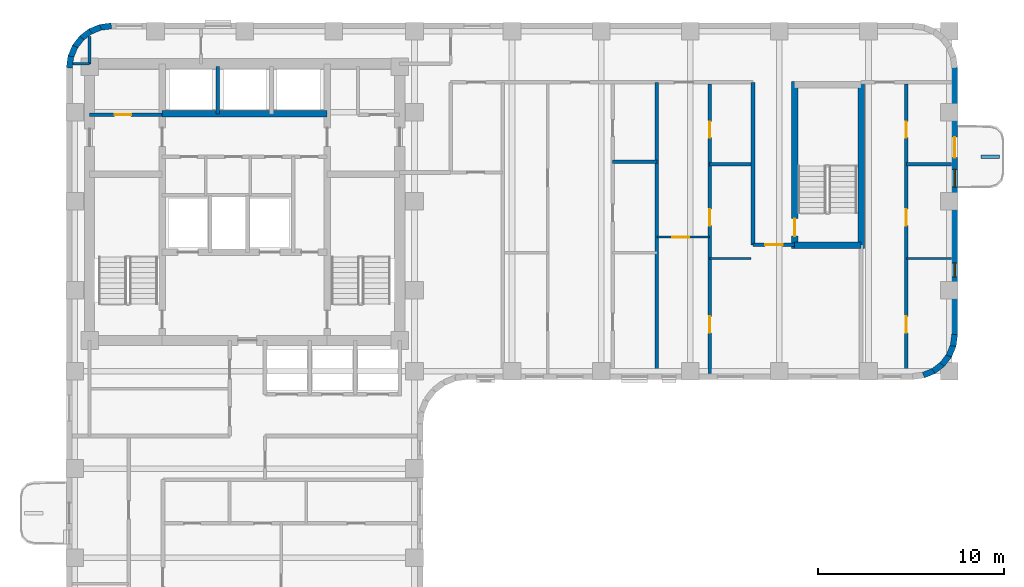
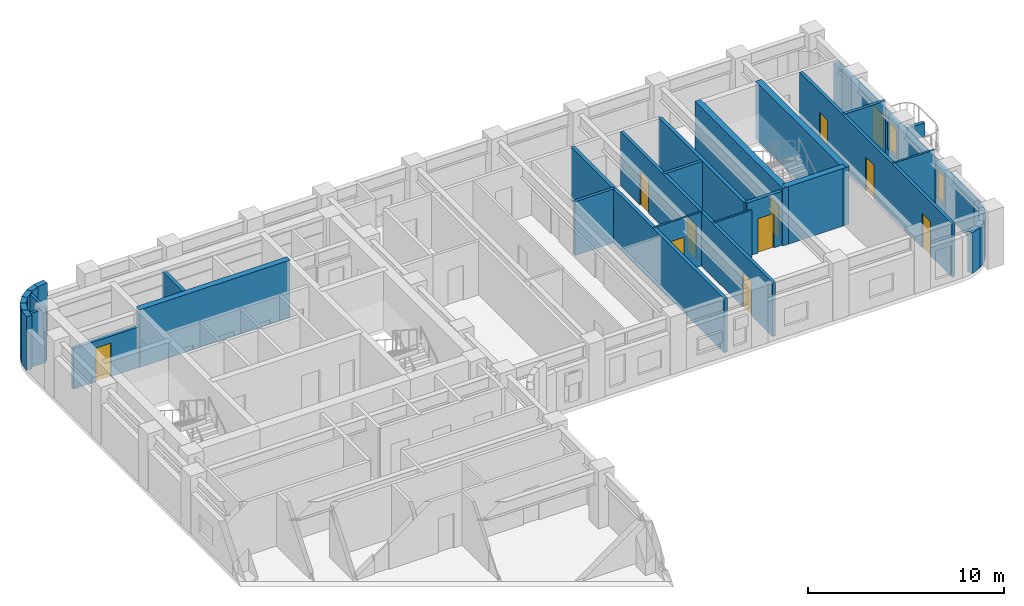
# One storey, part 7 of 11: 32 walls, 11 doors, 2 windows, 13 openings.
"""IFC4 building model written with IfcOpenShell, lengths in metres."""

from ifc_helpers import new_model, si_unit, direction, frame, frame_2d, origin, place, context, subcontext, project, spatial, rectangle, extrude, material, layer, layer_set, type_object, element, fill, save


model = new_model("IFC4")

# Units and contexts
model_context = context("Model", 3, precision=1e-05, world=origin(), true_north=direction((0.0, 1.0)))
body_context = subcontext(model_context, "Body", "Model", "MODEL_VIEW")
ifc_project = project(units=[si_unit("LENGTHUNIT", "METRE"), si_unit("AREAUNIT", "SQUARE_METRE"), si_unit("VOLUMEUNIT", "CUBIC_METRE"), si_unit("PLANEANGLEUNIT", "RADIAN"), si_unit("MASSUNIT", "GRAM", prefix="KILO")], contexts=[model_context])

# Site, building, storey
site_placement = place(None, origin())
site = spatial("IfcSite", under=ifc_project, at=site_placement, CompositionType="ELEMENT")
building_placement = place(site_placement, origin())
building = spatial("IfcBuilding", under=site, at=building_placement, Name="Orvandelia Arch Residences", CompositionType="ELEMENT")
storey_placement = place(building_placement, frame((0.0, 0.0, 146.800048828125)))
storey = spatial("IfcBuildingStorey", under=building, at=storey_placement, Name="L38", CompositionType="ELEMENT", Elevation=146.800048828125)

# Wall
ifc_material_1 = material(Name="Concrete C50/60", Category="concrete")
ifc_layer_1 = layer(ifc_material_1, 0.35009765625, Name="Concrete C50/60", Category="concrete")
ifc_layer_set_1 = layer_set([ifc_layer_1], Name="Concrete C50/60")
wall_type_1 = type_object("IfcWallType", Name="WL-CORE-350", PredefinedType="SHEAR", material=ifc_layer_set_1)
wall_1_placement = place(storey_placement, frame((9.9599609375, 43.10009765625, 0.0), z_axis=(0.0, 0.0, 1.0), x_axis=(1.0, 0.0, 0.0)))
element("IfcWall", 1, at=wall_1_placement, inside=storey, type_object=wall_type_1, Name="Core Shear Wall L38-HZ4", PredefinedType="SHEAR", context=body_context, shape_type="SweptSolid", body=[
    extrude(rectangle(XDim=8.880126953125, YDim=0.35009765625, at=frame_2d((4.43994140625, 0.0))), origin(), (0.0, 0.0, 1.0), 3.599853515625),
])

# Wall, opening, door
wall_2_placement = place(storey_placement, frame((44.02001953125, 35.864990234375, 0.0), z_axis=(0.0, 0.0, 1.0), x_axis=(0.0, 1.0, 0.0)))
wall_2 = element("IfcWall", 2, at=wall_2_placement, inside=storey, type_object=wall_type_1, Name="East Stair Core Shear Wall L38-W", PredefinedType="SHEAR", context=body_context, shape_type="SweptSolid", body=[
    extrude(rectangle(XDim=8.969970703125, YDim=0.35009765625, at=frame_2d((4.48486328125, 0.0))), origin(), (0.0, 0.0, 1.0), 3.599853515625),
])
opening_1_placement = place(wall_2_placement, frame((0.64990234375, 0.0, 0.0)))
opening_1 = element("IfcOpeningElement", 3, at=opening_1_placement, cuts=wall_2, Name="Opening D7", PredefinedType="OPENING", context=body_context, shape_type="SweptSolid", body=[
    extrude(rectangle(XDim=0.949951171875, YDim=2.10009765625, at=frame_2d((0.47509765625, 1.050048828125))), frame((0.0, 0.18505859375, 0.0), z_axis=(0.0, -1.0, 0.0), x_axis=(1.0, 0.0, 0.0)), (0.0, 0.0, 1.0), 0.3701171875),
])
ifc_material_2 = material(Name="Pressurised Stairwell Fire Door")
door_type_1 = type_object("IfcDoorType", Name="DR-STAIR-950", OperationType="NOTDEFINED", PredefinedType="DOOR", material=ifc_material_2)
door_1_placement = place(opening_1_placement, origin())
door_1 = element("IfcDoor", 4, at=door_1_placement, inside=storey, type_object=door_type_1, Name="East Stairwell ST-3 Fire Door L38", OperationType="SINGLE_SWING_LEFT", OverallHeight=2.10009765625, OverallWidth=0.949951171875, PredefinedType="DOOR", context=body_context, shape_type="SweptSolid", body=[
    extrude(rectangle(XDim=0.949951171875, YDim=2.10009765625, at=frame_2d((0.47509765625, 1.050048828125))), frame((0.0, 0.02490234375, 0.0), z_axis=(0.0, -1.0, 0.0), x_axis=(1.0, 0.0, 0.0)), (0.0, 0.0, 1.0), 0.050048828125),
])
fill(opening_1, door_1)

# Walls
wall_3_placement = place(storey_placement, frame((47.60009765625, 35.864990234375, 0.0), z_axis=(0.0, 0.0, 1.0), x_axis=(0.0, 1.0, 0.0)))
element("IfcWall", 5, at=wall_3_placement, inside=storey, type_object=wall_type_1, Name="East Stair Core Shear Wall L38-E", PredefinedType="SHEAR", context=body_context, shape_type="SweptSolid", body=[
    extrude(rectangle(XDim=8.969970703125, YDim=0.35009765625, at=frame_2d((4.48486328125, 0.0))), origin(), (0.0, 0.0, 1.0), 3.599853515625),
])
wall_4_placement = place(storey_placement, frame((44.02001953125, 36.0400390625, 0.0), z_axis=(0.0, 0.0, 1.0), x_axis=(1.0, 0.0, 0.0)))
element("IfcWall", 6, at=wall_4_placement, inside=storey, type_object=wall_type_1, Name="East Stair Core Shear Wall L38-S", PredefinedType="SHEAR", context=body_context, shape_type="SweptSolid", body=[
    extrude(rectangle(XDim=3.580078125, YDim=0.35009765625, at=frame_2d((1.7900390625, 0.0))), origin(), (0.0, 0.0, 1.0), 3.599853515625),
])
ifc_material_3 = material(Name="Fire-Rated Corridor Partition")
ifc_layer_2 = layer(ifc_material_3, 0.199951171875, Name="Fire-Rated Corridor Partition")
ifc_layer_set_2 = layer_set([ifc_layer_2], Name="Fire-Rated Corridor Partition")
wall_type_2 = type_object("IfcWallType", Name="WL-CORR-200", PredefinedType="PARTITIONING", material=ifc_layer_set_2)
wall_5_placement = place(storey_placement, frame((41.780029296875, 36.050048828125, 0.0), z_axis=(0.0, 0.0, 1.0), x_axis=(0.0, 1.0, 0.0)))
element("IfcWall", 7, at=wall_5_placement, inside=storey, type_object=wall_type_2, Name="Interior Partition Wall WL-L38-EN2-SW", PredefinedType="PARTITIONING", context=body_context, shape_type="SweptSolid", body=[
    extrude(rectangle(XDim=8.75, YDim=0.199951171875, at=frame_2d((4.375, 0.0))), origin(), (0.0, 0.0, 1.0), 3.35986328125),
])

# Wall, opening, door
wall_6_placement = place(storey_placement, frame((41.780029296875, 36.050048828125, 0.0), z_axis=(0.0, 0.0, 1.0), x_axis=(1.0, 0.0, 0.0)))
wall_6 = element("IfcWall", 8, at=wall_6_placement, inside=storey, type_object=wall_type_2, Name="Interior Partition Wall WL-L38-EN2-SS", PredefinedType="PARTITIONING", context=body_context, shape_type="SweptSolid", body=[
    extrude(rectangle(XDim=2.239990234375, YDim=0.199951171875, at=frame_2d((1.1201171875, 0.0))), origin(), (0.0, 0.0, 1.0), 3.35986328125),
])
opening_2_placement = place(wall_6_placement, frame((0.64990234375, 0.0, 0.0)))
opening_2 = element("IfcOpeningElement", 9, at=opening_2_placement, cuts=wall_6, Name="Opening D2", PredefinedType="OPENING", context=body_context, shape_type="SweptSolid", body=[
    extrude(rectangle(XDim=0.949951171875, YDim=2.14990234375, at=frame_2d((0.47509765625, 1.074951171875))), frame((0.0, 0.10986328125, 0.0), z_axis=(0.0, -1.0, 0.0), x_axis=(1.0, 0.0, 0.0)), (0.0, 0.0, 1.0), 0.219970703125),
])
ifc_material_4 = material(Name="Solid-Core Timber Interior Fire Door", Category="wood")
door_type_2 = type_object("IfcDoorType", Name="DR-APT-950", OperationType="NOTDEFINED", PredefinedType="DOOR", material=ifc_material_4)
door_2_placement = place(opening_2_placement, origin())
door_2 = element("IfcDoor", 10, at=door_2_placement, inside=storey, type_object=door_type_2, Name="DR-L38-EN2SLN", OperationType="SINGLE_SWING_LEFT", OverallHeight=2.14990234375, OverallWidth=0.949951171875, PredefinedType="DOOR", context=body_context, shape_type="SweptSolid", body=[
    extrude(rectangle(XDim=0.949951171875, YDim=2.14990234375, at=frame_2d((0.47509765625, 1.074951171875))), frame((0.0, 0.02490234375, 0.0), z_axis=(0.0, -1.0, 0.0), x_axis=(1.0, 0.0, 0.0)), (0.0, 0.0, 1.0), 0.050048828125),
])
fill(opening_2, door_2)

# Walls
ifc_material_5 = material(Name="Concrete C40/50", Category="concrete")
ifc_layer_3 = layer(ifc_material_5, 0.199951171875, Name="Concrete C40/50", Category="concrete")
ifc_layer_set_3 = layer_set([ifc_layer_3], Name="Concrete C40/50")
wall_type_3 = type_object("IfcWallType", Name="WL-DEM-200", PredefinedType="SOLIDWALL", material=ifc_layer_set_3)
wall_7_placement = place(storey_placement, frame((36.60009765625, 29.1201171875, 0.0), z_axis=(0.0, 0.0, 1.0), x_axis=(0.0, 1.0, 0.0)))
element("IfcWall", 11, at=wall_7_placement, inside=storey, type_object=wall_type_3, Name="Interior Partition Wall WL-L38-DEM-EN2-366", PredefinedType="SOLIDWALL", context=body_context, shape_type="SweptSolid", body=[
    extrude(rectangle(XDim=15.679931640625, YDim=0.199951171875, at=frame_2d((7.83984375, 0.0))), origin(), (0.0, 0.0, 1.0), 3.35986328125),
])
ifc_material_6 = material(Name="Precast concrete C40/50", Category="concrete")
ifc_layer_4 = layer(ifc_material_6, 0.320068359375, Name="Precast concrete C40/50", Category="concrete")
ifc_layer_set_4 = layer_set([ifc_layer_4], Name="Precast concrete C40/50")
wall_type_4 = type_object("IfcWallType", Name="WL-EXT-STONE-320", PredefinedType="STANDARD", material=ifc_layer_set_4)
for number, where, z_axis, x_axis, name in (
    (12, (4.95849609375, 45.5791015625, 0.0), (0.0, 0.0, 1.0), (0.130555323746, 0.9914410257, 0.0), "Coral-Limestone Precast Facade Wall L38-001"),
    (13, (5.029541015625, 46.159912109375, 0.0), (0.0, 0.0, 1.0), (0.382650053678, 0.92389335771, 0.0), "Coral-Limestone Precast Facade Wall L38-002"),
):
    element("IfcWall", number, at=place(storey_placement, frame(where, z_axis=z_axis, x_axis=x_axis)), inside=storey, type_object=wall_type_4, Name=name, PredefinedType="STANDARD", context=body_context, shape_type="SweptSolid", body=[
        extrude(rectangle(XDim=0.62646484375, YDim=0.320068359375, at=frame_2d((0.313232421875, 0.0))), origin(), (0.0, 0.0, 1.0), 3.35986328125),
    ])
wall_8_placement = place(storey_placement, frame((5.248291015625, 46.70263671875, 0.0), z_axis=(0.0, 0.0, 1.0), x_axis=(0.608938521285, 0.7932174212, 0.0)))
element("IfcWall", 14, at=wall_8_placement, inside=storey, type_object=wall_type_4, Name="Coral-Limestone Precast Facade Wall L38-003", PredefinedType="STANDARD", context=body_context, shape_type="SweptSolid", body=[
    extrude(rectangle(XDim=0.626708984375, YDim=0.320068359375, at=frame_2d((0.3134765625, 0.0))), origin(), (0.0, 0.0, 1.0), 3.35986328125),
])
wall_9_placement = place(storey_placement, frame((5.600341796875, 47.170166015625, 0.0), z_axis=(0.0, 0.0, 1.0), x_axis=(0.793405610854, 0.608693302629, 0.0)))
element("IfcWall", 15, at=wall_9_placement, inside=storey, type_object=wall_type_4, Name="Coral-Limestone Precast Facade Wall L38-004", PredefinedType="STANDARD", context=body_context, shape_type="SweptSolid", body=[
    extrude(rectangle(XDim=0.62646484375, YDim=0.320068359375, at=frame_2d((0.313232421875, 0.0))), origin(), (0.0, 0.0, 1.0), 3.35986328125),
])
wall_10_placement = place(storey_placement, frame((6.061279296875, 47.53076171875, 0.0), z_axis=(0.0, 0.0, 1.0), x_axis=(0.923836271867, 0.382787856107, 0.0)))
element("IfcWall", 16, at=wall_10_placement, inside=storey, type_object=wall_type_4, Name="Coral-Limestone Precast Facade Wall L38-005", PredefinedType="STANDARD", context=body_context, shape_type="SweptSolid", body=[
    extrude(rectangle(XDim=0.626220703125, YDim=0.320068359375, at=frame_2d((0.31298828125, 0.0))), origin(), (0.0, 0.0, 1.0), 3.35986328125),
])
wall_11_placement = place(storey_placement, frame((6.599609375, 47.759521484375, 0.0), z_axis=(0.0, 0.0, 1.0), x_axis=(0.991447664465, 0.130504898859, 0.0)))
element("IfcWall", 17, at=wall_11_placement, inside=storey, type_object=wall_type_4, Name="Coral-Limestone Precast Facade Wall L38-006", PredefinedType="STANDARD", context=body_context, shape_type="SweptSolid", body=[
    extrude(rectangle(XDim=0.626708984375, YDim=0.320068359375, at=frame_2d((0.3134765625, 0.0))), origin(), (0.0, 0.0, 1.0), 3.35986328125),
])

# Wall, openings, door, windows
wall_12_placement = place(storey_placement, frame((52.639892578125, 45.60009765625, 0.0), z_axis=(0.0, 0.0, 1.0), x_axis=(0.0, -1.0, 0.0)))
wall_12 = element("IfcWall", 18, at=wall_12_placement, inside=storey, type_object=wall_type_4, Name="Coral-Limestone Precast Facade Wall L38-014", PredefinedType="STANDARD", context=body_context, shape_type="SweptSolid", body=[
    extrude(rectangle(XDim=14.400146484375, YDim=0.320068359375, at=frame_2d((7.2001953125, 0.0))), origin(), (0.0, 0.0, 1.0), 2.5400390625),
])
opening_3_placement = place(wall_12_placement, frame((3.75, 0.0, 0.0)))
opening_3 = element("IfcOpeningElement", 19, at=opening_3_placement, cuts=wall_12, Name="Opening BD1", PredefinedType="OPENING", context=body_context, shape_type="SweptSolid", body=[
    extrude(rectangle(XDim=1.10009765625, YDim=2.14990234375, at=frame_2d((0.550048828125, 1.074951171875))), frame((0.0, 0.169921875, 0.0), z_axis=(0.0, -1.0, 0.0), x_axis=(1.0, 0.0, 0.0)), (0.0, 0.0, 1.0), 0.340087890625),
])
opening_4_placement = place(wall_12_placement, frame((10.51953125, 0.0, 0.449951171875)))
opening_4 = element("IfcOpeningElement", 20, at=opening_4_placement, cuts=wall_12, Name="Opening W11", PredefinedType="OPENING", context=body_context, shape_type="SweptSolid", body=[
    extrude(rectangle(XDim=0.75, YDim=1.800048828125, at=frame_2d((0.375, 0.89990234375))), frame((0.0, 0.169921875, 0.0), z_axis=(0.0, -1.0, 0.0), x_axis=(1.0, 0.0, 0.0)), (0.0, 0.0, 1.0), 0.340087890625),
])
opening_5_placement = place(wall_12_placement, frame((5.486083984375, 0.0, 0.449951171875)))
opening_5 = element("IfcOpeningElement", 21, at=opening_5_placement, cuts=wall_12, Name="Opening W4", PredefinedType="OPENING", context=body_context, shape_type="SweptSolid", body=[
    extrude(rectangle(XDim=0.949951171875, YDim=1.800048828125, at=frame_2d((0.47509765625, 0.89990234375))), frame((0.0, 0.169921875, 0.0), z_axis=(0.0, -1.0, 0.0), x_axis=(1.0, 0.0, 0.0)), (0.0, 0.0, 1.0), 0.340087890625),
])
ifc_material_7 = material(Name="Thermally Broken Aluminium Glazed Door", Category="aluminium")
door_type_3 = type_object("IfcDoorType", Name="DR-BAL-GLAZ-1100", OperationType="NOTDEFINED", PredefinedType="DOOR", material=ifc_material_7)
door_3_placement = place(opening_3_placement, origin())
door_3 = element("IfcDoor", 22, at=door_3_placement, inside=storey, type_object=door_type_3, Name="Tree Balcony Glazed Door BAL-L38-E1", OperationType="SINGLE_SWING_LEFT", OverallHeight=2.14990234375, OverallWidth=1.10009765625, PredefinedType="DOOR", context=body_context, shape_type="SweptSolid", body=[
    extrude(rectangle(XDim=1.10009765625, YDim=2.14990234375, at=frame_2d((0.550048828125, 1.074951171875))), frame((0.0, 0.02490234375, 0.0), z_axis=(0.0, -1.0, 0.0), x_axis=(1.0, 0.0, 0.0)), (0.0, 0.0, 1.0), 0.050048828125),
])
fill(opening_3, door_3)
ifc_material_8 = material(Name="Tempered Low-E Insulated Glazing", Category="glass")
window_type_1 = type_object("IfcWindowType", Name="WIN-BED-0750x1800", PartitioningType="SINGLE_PANEL", PredefinedType="WINDOW", material=ifc_material_8)
window_1_placement = place(opening_4_placement, origin())
window_1 = element("IfcWindow", 23, at=window_1_placement, inside=storey, type_object=window_type_1, Name="Recessed Punched Window L38-004", OverallHeight=1.800048828125, OverallWidth=0.75, PartitioningType="SINGLE_PANEL", PredefinedType="WINDOW", context=body_context, shape_type="SweptSolid", body=[
    extrude(rectangle(XDim=0.75, YDim=1.800048828125, at=frame_2d((0.375, 0.89990234375))), frame((0.0, 0.030029296875, 0.0), z_axis=(0.0, -1.0, 0.0), x_axis=(1.0, 0.0, 0.0)), (0.0, 0.0, 1.0), 0.06005859375),
])
fill(opening_4, window_1)
window_type_2 = type_object("IfcWindowType", Name="WIN-RES-0950x1800", PartitioningType="SINGLE_PANEL", PredefinedType="WINDOW", material=ifc_material_8)
window_2_placement = place(opening_5_placement, origin())
window_2 = element("IfcWindow", 24, at=window_2_placement, inside=storey, type_object=window_type_2, Name="Recessed Punched Window L38-005", OverallHeight=1.800048828125, OverallWidth=0.949951171875, PartitioningType="SINGLE_PANEL", PredefinedType="WINDOW", context=body_context, shape_type="SweptSolid", body=[
    extrude(rectangle(XDim=0.949951171875, YDim=1.800048828125, at=frame_2d((0.47509765625, 0.89990234375))), frame((0.0, 0.030029296875, 0.0), z_axis=(0.0, -1.0, 0.0), x_axis=(1.0, 0.0, 0.0)), (0.0, 0.0, 1.0), 0.06005859375),
])
fill(opening_5, window_2)

# Walls
wall_13_placement = place(storey_placement, frame((52.641357421875, 31.220947265625, 0.0), z_axis=(0.0, 0.0, 1.0), x_axis=(-0.130504898859, -0.991447664465, 0.0)))
element("IfcWall", 25, at=wall_13_placement, inside=storey, type_object=wall_type_4, Name="Coral-Limestone Precast Facade Wall L38-015", PredefinedType="STANDARD", context=body_context, shape_type="SweptSolid", body=[
    extrude(rectangle(XDim=0.626708984375, YDim=0.320068359375, at=frame_2d((0.3134765625, 0.0))), origin(), (0.0, 0.0, 1.0), 2.5400390625),
])
wall_14_placement = place(storey_placement, frame((52.5703125, 30.639892578125, 0.0), z_axis=(0.0, 0.0, 1.0), x_axis=(-0.382455093999, -0.923974080304, 0.0)))
element("IfcWall", 26, at=wall_14_placement, inside=storey, type_object=wall_type_4, Name="Coral-Limestone Precast Facade Wall L38-016", PredefinedType="STANDARD", context=body_context, shape_type="SweptSolid", body=[
    extrude(rectangle(XDim=0.626220703125, YDim=0.320068359375, at=frame_2d((0.31298828125, 0.0))), origin(), (0.0, 0.0, 1.0), 2.5400390625),
])
wall_15_placement = place(storey_placement, frame((52.3515625, 30.097412109375, 0.0), z_axis=(0.0, 0.0, 1.0), x_axis=(-0.608693302629, -0.793405610854, 0.0)))
element("IfcWall", 27, at=wall_15_placement, inside=storey, type_object=wall_type_4, Name="Coral-Limestone Precast Facade Wall L38-017", PredefinedType="STANDARD", context=body_context, shape_type="SweptSolid", body=[
    extrude(rectangle(XDim=0.62646484375, YDim=0.320068359375, at=frame_2d((0.313232421875, 0.0))), origin(), (0.0, 0.0, 1.0), 2.5400390625),
])
wall_16_placement = place(storey_placement, frame((51.999755859375, 29.6298828125, 0.0), z_axis=(0.0, 0.0, 1.0), x_axis=(-0.7932174212, -0.608938521285, 0.0)))
element("IfcWall", 28, at=wall_16_placement, inside=storey, type_object=wall_type_4, Name="Coral-Limestone Precast Facade Wall L38-018", PredefinedType="STANDARD", context=body_context, shape_type="SweptSolid", body=[
    extrude(rectangle(XDim=0.626708984375, YDim=0.320068359375, at=frame_2d((0.3134765625, 0.0))), origin(), (0.0, 0.0, 1.0), 2.5400390625),
])
wall_17_placement = place(storey_placement, frame((51.538818359375, 29.269287109375, 0.0), z_axis=(0.0, 0.0, 1.0), x_axis=(-0.92389335771, -0.382650053678, 0.0)))
element("IfcWall", 29, at=wall_17_placement, inside=storey, type_object=wall_type_4, Name="Coral-Limestone Precast Facade Wall L38-019", PredefinedType="STANDARD", context=body_context, shape_type="SweptSolid", body=[
    extrude(rectangle(XDim=0.62646484375, YDim=0.320068359375, at=frame_2d((0.313232421875, 0.0))), origin(), (0.0, 0.0, 1.0), 2.5400390625),
])

# Wall, opening, door
ifc_material_9 = material(Name="Lightweight Gypsum Stud Partition")
ifc_layer_5 = layer(ifc_material_9, 0.1201171875, Name="Lightweight Gypsum Stud Partition")
ifc_layer_set_5 = layer_set([ifc_layer_5], Name="Lightweight Gypsum Stud Partition")
wall_type_5 = type_object("IfcWallType", Name="WL-PART-120", PredefinedType="PARTITIONING", material=ifc_layer_set_5)
wall_18_placement = place(storey_placement, frame((36.60009765625, 36.468017578125, 0.0), z_axis=(0.0, 0.0, 1.0), x_axis=(1.0, 0.0, 0.0)))
wall_18 = element("IfcWall", 30, at=wall_18_placement, inside=storey, type_object=wall_type_5, Name="Interior Partition Wall WL-L38-U04-DIN", PredefinedType="PARTITIONING", context=body_context, shape_type="SweptSolid", body=[
    extrude(rectangle(XDim=2.849853515625, YDim=0.1201171875, at=frame_2d((1.4248046875, 0.0))), origin(), (0.0, 0.0, 1.0), 3.35986328125),
])
opening_6_placement = place(wall_18_placement, frame((0.841552734375, 0.0, 0.0)))
opening_6 = element("IfcOpeningElement", 31, at=opening_6_placement, cuts=wall_18, Name="Opening D3", PredefinedType="OPENING", context=body_context, shape_type="SweptSolid", body=[
    extrude(rectangle(XDim=0.89990234375, YDim=2.14990234375, at=frame_2d((0.449951171875, 1.074951171875))), frame((0.0, 0.070068359375, 0.0), z_axis=(0.0, -1.0, 0.0), x_axis=(1.0, 0.0, 0.0)), (0.0, 0.0, 1.0), 0.14013671875),
])
ifc_material_10 = material(Name="Engineered Timber Flush Door", Category="wood")
door_type_4 = type_object("IfcDoorType", Name="DR-INT-900", OperationType="NOTDEFINED", PredefinedType="DOOR", material=ifc_material_10)
door_4_placement = place(opening_6_placement, origin())
door_4 = element("IfcDoor", 32, at=door_4_placement, inside=storey, type_object=door_type_4, Name="DR-L38-U04-DIN", OperationType="SINGLE_SWING_LEFT", OverallHeight=2.14990234375, OverallWidth=0.89990234375, PredefinedType="DOOR", context=body_context, shape_type="SweptSolid", body=[
    extrude(rectangle(XDim=0.89990234375, YDim=2.14990234375, at=frame_2d((0.449951171875, 1.074951171875))), frame((0.0, 0.02490234375, 0.0), z_axis=(0.0, -1.0, 0.0), x_axis=(1.0, 0.0, 0.0)), (0.0, 0.0, 1.0), 0.050048828125),
])
fill(opening_6, door_4)

# Walls
wall_19_placement = place(storey_placement, frame((39.449951171875, 35.31591796875, 0.0), z_axis=(0.0, 0.0, 1.0), x_axis=(1.0, 0.0, 0.0)))
element("IfcWall", 33, at=wall_19_placement, inside=storey, type_object=wall_type_5, Name="Interior Partition Wall WL-L38-U04-H1", PredefinedType="PARTITIONING", context=body_context, shape_type="SweptSolid", body=[
    extrude(rectangle(XDim=2.22998046875, YDim=0.1201171875, at=frame_2d((1.114990234375, 0.0))), origin(), (0.0, 0.0, 1.0), 3.35986328125),
])
wall_20_placement = place(storey_placement, frame((50.04296875, 35.31591796875, 0.0), z_axis=(0.0, 0.0, 1.0), x_axis=(1.0, 0.0, 0.0)))
element("IfcWall", 34, at=wall_20_placement, inside=storey, type_object=wall_type_5, Name="Interior Partition Wall WL-L38-U05-H1", PredefinedType="PARTITIONING", context=body_context, shape_type="SweptSolid", body=[
    extrude(rectangle(XDim=2.43701171875, YDim=0.1201171875, at=frame_2d((1.218505859375, 0.0))), origin(), (0.0, 0.0, 1.0), 3.35986328125),
])
ifc_material_11 = material(Name="Acoustic Gypsum Stud Partition")
ifc_layer_6 = layer(ifc_material_11, 0.14990234375, Name="Acoustic Gypsum Stud Partition")
ifc_layer_set_6 = layer_set([ifc_layer_6], Name="Acoustic Gypsum Stud Partition")
wall_type_6 = type_object("IfcWallType", Name="WL-PART-150", PredefinedType="PARTITIONING", material=ifc_layer_set_6)
wall_21_placement = place(storey_placement, frame((5.159912109375, 45.800048828125, 0.0), z_axis=(0.0, 0.0, 1.0), x_axis=(1.0, 0.0, 0.0)))
element("IfcWall", 35, at=wall_21_placement, inside=storey, type_object=wall_type_6, Name="Interior Partition Wall WL-L38-WF-N", PredefinedType="PARTITIONING", context=body_context, shape_type="SweptSolid", body=[
    extrude(rectangle(XDim=0.89013671875, YDim=0.14990234375, at=frame_2d((0.445068359375, 0.0))), origin(), (0.0, 0.0, 1.0), 3.35986328125),
])
wall_22_placement = place(storey_placement, frame((6.050048828125, 45.800048828125, 0.0), z_axis=(0.0, 0.0, 1.0), x_axis=(0.0, 1.0, 0.0)))
element("IfcWall", 36, at=wall_22_placement, inside=storey, type_object=wall_type_6, Name="Interior Partition Wall WL-L38-NC-W6", PredefinedType="PARTITIONING", context=body_context, shape_type="SweptSolid", body=[
    extrude(rectangle(XDim=1.4599609375, YDim=0.14990234375, at=frame_2d((0.72998046875, 0.0))), origin(), (0.0, 0.0, 1.0), 3.35986328125),
])
ifc_layer_7 = layer(ifc_material_6, 0.199951171875, Name="Precast concrete C40/50", Category="concrete")
ifc_layer_set_7 = layer_set([ifc_layer_7], Name="Precast concrete C40/50")
wall_type_7 = type_object("IfcWallType", Name="WL-PLANTER-200", PredefinedType="MOVABLE", material=ifc_layer_set_7)
wall_23_placement = place(storey_placement, frame((54.050048828125, 40.800048828125, 0.0), z_axis=(0.0, 0.0, 1.0), x_axis=(1.0, 0.0, 0.0)))
element("IfcWall", 37, at=wall_23_placement, inside=storey, type_object=wall_type_7, Name="Balcony Precast Tree Planter BAL-L38-E1", PredefinedType="MOVABLE", context=body_context, shape_type="SweptSolid", body=[
    extrude(rectangle(XDim=1.0, YDim=0.199951171875, at=frame_2d((0.5, 0.0))), origin(), (0.0, 0.0, 1.0), 0.849853515625),
])

# Wall, opening, door
ifc_material_12 = material(Name="Fire-Rated Shaft Enclosure Wall")
ifc_layer_8 = layer(ifc_material_12, 0.199951171875, Name="Fire-Rated Shaft Enclosure Wall")
ifc_layer_set_8 = layer_set([ifc_layer_8], Name="Fire-Rated Shaft Enclosure Wall")
wall_type_8 = type_object("IfcWallType", Name="WL-SHAFT-200", PredefinedType="POLYGONAL", material=ifc_layer_set_8)
wall_24_placement = place(storey_placement, frame((6.050048828125, 43.050048828125, 0.0), z_axis=(0.0, 0.0, 1.0), x_axis=(1.0, 0.0, 0.0)))
wall_24 = element("IfcWall", 38, at=wall_24_placement, inside=storey, type_object=wall_type_8, Name="Interior Partition Wall WL-L38-HLW-N", PredefinedType="POLYGONAL", context=body_context, shape_type="SweptSolid", body=[
    extrude(rectangle(XDim=3.909912109375, YDim=0.199951171875, at=frame_2d((1.955078125, 0.0))), origin(), (0.0, 0.0, 1.0), 2.5400390625),
])
opening_7_placement = place(wall_24_placement, frame((1.35009765625, 0.0, 0.0)))
opening_7 = element("IfcOpeningElement", 39, at=opening_7_placement, cuts=wall_24, Name="Opening D5", PredefinedType="OPENING", context=body_context, shape_type="SweptSolid", body=[
    extrude(rectangle(XDim=0.8798828125, YDim=2.10009765625, at=frame_2d((0.43994140625, 1.050048828125))), frame((0.0, 0.10986328125, 0.0), z_axis=(0.0, -1.0, 0.0), x_axis=(1.0, 0.0, 0.0)), (0.0, 0.0, 1.0), 0.219970703125),
])
ifc_material_13 = material(Name="Painted Galvanised Steel Service Door", Category="steel")
door_type_5 = type_object("IfcDoorType", Name="DR-SRV-880", OperationType="NOTDEFINED", PredefinedType="DOOR", material=ifc_material_13)
door_5_placement = place(opening_7_placement, origin())
door_5 = element("IfcDoor", 40, at=door_5_placement, inside=storey, type_object=door_type_5, Name="Riser Service Door L38", OperationType="SINGLE_SWING_RIGHT", OverallHeight=2.10009765625, OverallWidth=0.8798828125, PredefinedType="DOOR", context=body_context, shape_type="SweptSolid", body=[
    extrude(rectangle(XDim=0.8798828125, YDim=2.10009765625, at=frame_2d((0.43994140625, 1.050048828125))), frame((0.0, 0.02490234375, 0.0), z_axis=(0.0, -1.0, 0.0), x_axis=(1.0, 0.0, 0.0)), (0.0, 0.0, 1.0), 0.050048828125),
])
fill(opening_7, door_5)

# Walls
wall_25_placement = place(storey_placement, frame((12.949951171875, 43.10009765625, 0.0), z_axis=(0.0, 0.0, 1.0), x_axis=(0.0, 1.0, 0.0)))
element("IfcWall", 41, at=wall_25_placement, inside=storey, type_object=wall_type_8, Name="Interior Partition Wall WL-L38-PHD1", PredefinedType="POLYGONAL", context=body_context, shape_type="SweptSolid", body=[
    extrude(rectangle(XDim=2.5498046875, YDim=0.199951171875, at=frame_2d((1.27490234375, 0.0))), origin(), (0.0, 0.0, 1.0), 3.35986328125),
])
ifc_material_14 = material(Name="Moisture-Resistant Plumbing Wall")
ifc_layer_9 = layer(ifc_material_14, 0.179931640625, Name="Moisture-Resistant Plumbing Wall")
ifc_layer_set_9 = layer_set([ifc_layer_9], Name="Moisture-Resistant Plumbing Wall")
wall_type_9 = type_object("IfcWallType", Name="WL-WET-180", PredefinedType="PLUMBINGWALL", material=ifc_layer_set_9)
wall_26_placement = place(storey_placement, frame((34.219970703125, 40.527099609375, 0.0), z_axis=(0.0, 0.0, 1.0), x_axis=(1.0, 0.0, 0.0)))
element("IfcWall", 42, at=wall_26_placement, inside=storey, type_object=wall_type_9, Name="Interior Partition Wall WL-L38-U03-H2", PredefinedType="PLUMBINGWALL", context=body_context, shape_type="SweptSolid", body=[
    extrude(rectangle(XDim=2.380126953125, YDim=0.179931640625, at=frame_2d((1.18994140625, 0.0))), origin(), (0.0, 0.0, 1.0), 3.35986328125),
])

# Wall, openings, doors
wall_27_placement = place(storey_placement, frame((39.449951171875, 29.1201171875, 0.0), z_axis=(0.0, 0.0, 1.0), x_axis=(0.0, 1.0, 0.0)))
wall_27 = element("IfcWall", 43, at=wall_27_placement, inside=storey, type_object=wall_type_9, Name="Interior Partition Wall WL-L38-U04-VT", PredefinedType="PLUMBINGWALL", context=body_context, shape_type="SweptSolid", body=[
    extrude(rectangle(XDim=15.579833984375, YDim=0.179931640625, at=frame_2d((7.7900390625, 0.0))), origin(), (0.0, 0.0, 1.0), 3.35986328125),
])
opening_8_placement = place(wall_27_placement, frame((2.1826171875, 0.0, 0.0)))
opening_8 = element("IfcOpeningElement", 44, at=opening_8_placement, cuts=wall_27, Name="Opening D3", PredefinedType="OPENING", context=body_context, shape_type="SweptSolid", body=[
    extrude(rectangle(XDim=0.89990234375, YDim=2.14990234375, at=frame_2d((0.449951171875, 1.074951171875))), frame((0.0, 0.10009765625, 0.0), z_axis=(0.0, -1.0, 0.0), x_axis=(1.0, 0.0, 0.0)), (0.0, 0.0, 1.0), 0.199951171875),
])
opening_9_placement = place(wall_27_placement, frame((7.958740234375, 0.0, 0.0)))
opening_9 = element("IfcOpeningElement", 45, at=opening_9_placement, cuts=wall_27, Name="Opening D3", PredefinedType="OPENING", context=body_context, shape_type="SweptSolid", body=[
    extrude(rectangle(XDim=0.89990234375, YDim=2.14990234375, at=frame_2d((0.449951171875, 1.074951171875))), frame((0.0, 0.10009765625, 0.0), z_axis=(0.0, -1.0, 0.0), x_axis=(1.0, 0.0, 0.0)), (0.0, 0.0, 1.0), 0.199951171875),
])
opening_10_placement = place(wall_27_placement, frame((12.710693359375, 0.0, 0.0)))
opening_10 = element("IfcOpeningElement", 46, at=opening_10_placement, cuts=wall_27, Name="Opening D4", PredefinedType="OPENING", context=body_context, shape_type="SweptSolid", body=[
    extrude(rectangle(XDim=0.860107421875, YDim=2.10009765625, at=frame_2d((0.43017578125, 1.050048828125))), frame((0.0, 0.10009765625, 0.0), z_axis=(0.0, -1.0, 0.0), x_axis=(1.0, 0.0, 0.0)), (0.0, 0.0, 1.0), 0.199951171875),
])
door_6_placement = place(opening_8_placement, origin())
door_6 = element("IfcDoor", 47, at=door_6_placement, inside=storey, type_object=door_type_4, Name="DR-L38-U04-BD1", OperationType="SINGLE_SWING_RIGHT", OverallHeight=2.14990234375, OverallWidth=0.89990234375, PredefinedType="DOOR", context=body_context, shape_type="SweptSolid", body=[
    extrude(rectangle(XDim=0.89990234375, YDim=2.14990234375, at=frame_2d((0.449951171875, 1.074951171875))), frame((0.0, 0.02490234375, 0.0), z_axis=(0.0, -1.0, 0.0), x_axis=(1.0, 0.0, 0.0)), (0.0, 0.0, 1.0), 0.050048828125),
])
fill(opening_8, door_6)
door_7_placement = place(opening_9_placement, origin())
door_7 = element("IfcDoor", 48, at=door_7_placement, inside=storey, type_object=door_type_4, Name="DR-L38-U04-KIT", OperationType="SINGLE_SWING_LEFT", OverallHeight=2.14990234375, OverallWidth=0.89990234375, PredefinedType="DOOR", context=body_context, shape_type="SweptSolid", body=[
    extrude(rectangle(XDim=0.89990234375, YDim=2.14990234375, at=frame_2d((0.449951171875, 1.074951171875))), frame((0.0, 0.02490234375, 0.0), z_axis=(0.0, -1.0, 0.0), x_axis=(1.0, 0.0, 0.0)), (0.0, 0.0, 1.0), 0.050048828125),
])
fill(opening_9, door_7)
ifc_material_15 = material(Name="Moisture-Sealed Timber Bathroom Door", Category="wood")
door_type_6 = type_object("IfcDoorType", Name="DR-WET-900", OperationType="NOTDEFINED", PredefinedType="DOOR", material=ifc_material_15)
door_8_placement = place(opening_10_placement, origin())
door_8 = element("IfcDoor", 49, at=door_8_placement, inside=storey, type_object=door_type_6, Name="DR-L38-U04-BTH", OperationType="SINGLE_SWING_RIGHT", OverallHeight=2.10009765625, OverallWidth=0.860107421875, PredefinedType="DOOR", context=body_context, shape_type="SweptSolid", body=[
    extrude(rectangle(XDim=0.860107421875, YDim=2.10009765625, at=frame_2d((0.43017578125, 1.050048828125))), frame((0.0, 0.02490234375, 0.0), z_axis=(0.0, -1.0, 0.0), x_axis=(1.0, 0.0, 0.0)), (0.0, 0.0, 1.0), 0.050048828125),
])
fill(opening_10, door_8)

# Wall
wall_28_placement = place(storey_placement, frame((39.449951171875, 40.383056640625, 0.0), z_axis=(0.0, 0.0, 1.0), x_axis=(1.0, 0.0, 0.0)))
element("IfcWall", 50, at=wall_28_placement, inside=storey, type_object=wall_type_9, Name="Interior Partition Wall WL-L38-U04-H2", PredefinedType="PLUMBINGWALL", context=body_context, shape_type="SweptSolid", body=[
    extrude(rectangle(XDim=2.22998046875, YDim=0.179931640625, at=frame_2d((1.114990234375, 0.0))), origin(), (0.0, 0.0, 1.0), 3.35986328125),
])

# Wall, openings, doors
wall_29_placement = place(storey_placement, frame((50.04296875, 29.1201171875, 0.0), z_axis=(0.0, 0.0, 1.0), x_axis=(0.0, 1.0, 0.0)))
wall_29 = element("IfcWall", 51, at=wall_29_placement, inside=storey, type_object=wall_type_9, Name="Interior Partition Wall WL-L38-U05-VT", PredefinedType="PLUMBINGWALL", context=body_context, shape_type="SweptSolid", body=[
    extrude(rectangle(XDim=15.579833984375, YDim=0.179931640625, at=frame_2d((7.7900390625, 0.0))), origin(), (0.0, 0.0, 1.0), 3.35986328125),
])
opening_11_placement = place(wall_29_placement, frame((2.1826171875, 0.0, 0.0)))
opening_11 = element("IfcOpeningElement", 52, at=opening_11_placement, cuts=wall_29, Name="Opening D3", PredefinedType="OPENING", context=body_context, shape_type="SweptSolid", body=[
    extrude(rectangle(XDim=0.89990234375, YDim=2.14990234375, at=frame_2d((0.449951171875, 1.074951171875))), frame((0.0, 0.10009765625, 0.0), z_axis=(0.0, -1.0, 0.0), x_axis=(1.0, 0.0, 0.0)), (0.0, 0.0, 1.0), 0.199951171875),
])
opening_12_placement = place(wall_29_placement, frame((7.958740234375, 0.0, 0.0)))
opening_12 = element("IfcOpeningElement", 53, at=opening_12_placement, cuts=wall_29, Name="Opening D3", PredefinedType="OPENING", context=body_context, shape_type="SweptSolid", body=[
    extrude(rectangle(XDim=0.89990234375, YDim=2.14990234375, at=frame_2d((0.449951171875, 1.074951171875))), frame((0.0, 0.10009765625, 0.0), z_axis=(0.0, -1.0, 0.0), x_axis=(1.0, 0.0, 0.0)), (0.0, 0.0, 1.0), 0.199951171875),
])
opening_13_placement = place(wall_29_placement, frame((12.710693359375, 0.0, 0.0)))
opening_13 = element("IfcOpeningElement", 54, at=opening_13_placement, cuts=wall_29, Name="Opening D4", PredefinedType="OPENING", context=body_context, shape_type="SweptSolid", body=[
    extrude(rectangle(XDim=0.860107421875, YDim=2.10009765625, at=frame_2d((0.43017578125, 1.050048828125))), frame((0.0, 0.10009765625, 0.0), z_axis=(0.0, -1.0, 0.0), x_axis=(1.0, 0.0, 0.0)), (0.0, 0.0, 1.0), 0.199951171875),
])
door_9_placement = place(opening_11_placement, origin())
door_9 = element("IfcDoor", 55, at=door_9_placement, inside=storey, type_object=door_type_4, Name="DR-L38-U05-BD1", OperationType="SINGLE_SWING_LEFT", OverallHeight=2.14990234375, OverallWidth=0.89990234375, PredefinedType="DOOR", context=body_context, shape_type="SweptSolid", body=[
    extrude(rectangle(XDim=0.89990234375, YDim=2.14990234375, at=frame_2d((0.449951171875, 1.074951171875))), frame((0.0, 0.02490234375, 0.0), z_axis=(0.0, -1.0, 0.0), x_axis=(1.0, 0.0, 0.0)), (0.0, 0.0, 1.0), 0.050048828125),
])
fill(opening_11, door_9)
door_10_placement = place(opening_12_placement, origin())
door_10 = element("IfcDoor", 56, at=door_10_placement, inside=storey, type_object=door_type_4, Name="DR-L38-U05-KIT", OperationType="SINGLE_SWING_RIGHT", OverallHeight=2.14990234375, OverallWidth=0.89990234375, PredefinedType="DOOR", context=body_context, shape_type="SweptSolid", body=[
    extrude(rectangle(XDim=0.89990234375, YDim=2.14990234375, at=frame_2d((0.449951171875, 1.074951171875))), frame((0.0, 0.02490234375, 0.0), z_axis=(0.0, -1.0, 0.0), x_axis=(1.0, 0.0, 0.0)), (0.0, 0.0, 1.0), 0.050048828125),
])
fill(opening_12, door_10)
door_11_placement = place(opening_13_placement, origin())
door_11 = element("IfcDoor", 57, at=door_11_placement, inside=storey, type_object=door_type_6, Name="DR-L38-U05-BTH", OperationType="SINGLE_SWING_LEFT", OverallHeight=2.10009765625, OverallWidth=0.860107421875, PredefinedType="DOOR", context=body_context, shape_type="SweptSolid", body=[
    extrude(rectangle(XDim=0.860107421875, YDim=2.10009765625, at=frame_2d((0.43017578125, 1.050048828125))), frame((0.0, 0.02490234375, 0.0), z_axis=(0.0, -1.0, 0.0), x_axis=(1.0, 0.0, 0.0)), (0.0, 0.0, 1.0), 0.050048828125),
])
fill(opening_13, door_11)

# Wall
wall_30_placement = place(storey_placement, frame((50.04296875, 40.383056640625, 0.0), z_axis=(0.0, 0.0, 1.0), x_axis=(1.0, 0.0, 0.0)))
element("IfcWall", 58, at=wall_30_placement, inside=storey, type_object=wall_type_9, Name="Interior Partition Wall WL-L38-U05-H2", PredefinedType="PLUMBINGWALL", context=body_context, shape_type="SweptSolid", body=[
    extrude(rectangle(XDim=2.43701171875, YDim=0.179931640625, at=frame_2d((1.218505859375, 0.0))), origin(), (0.0, 0.0, 1.0), 3.35986328125),
])

save(model, "model.ifc")
